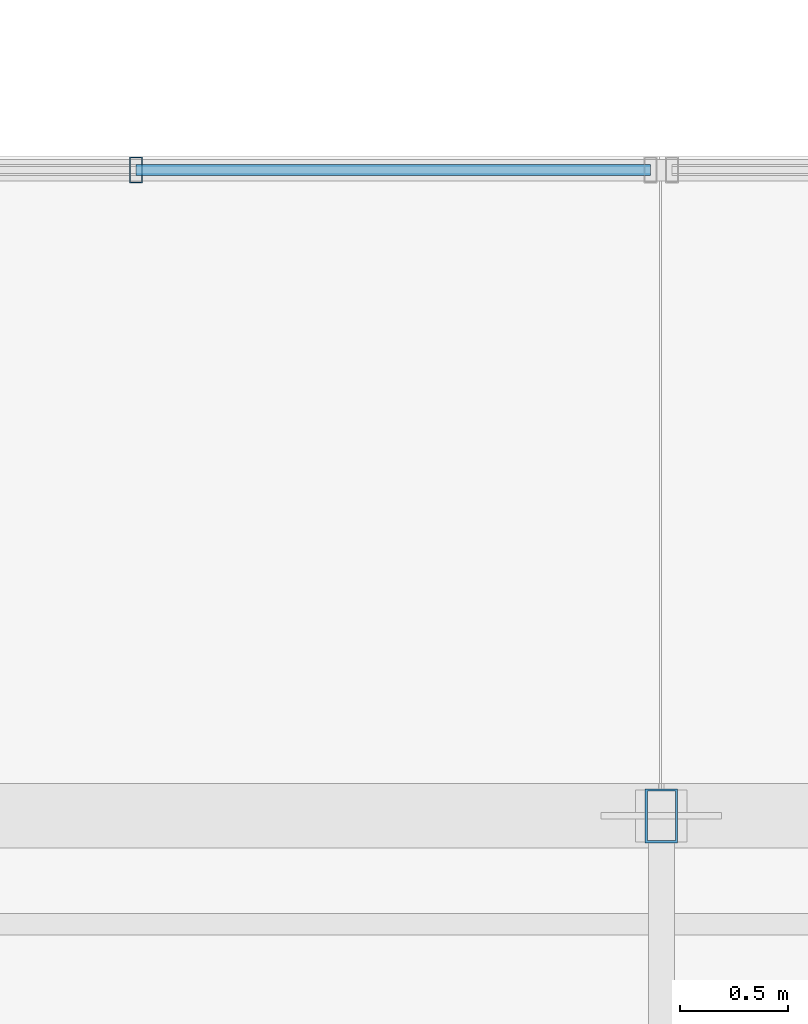
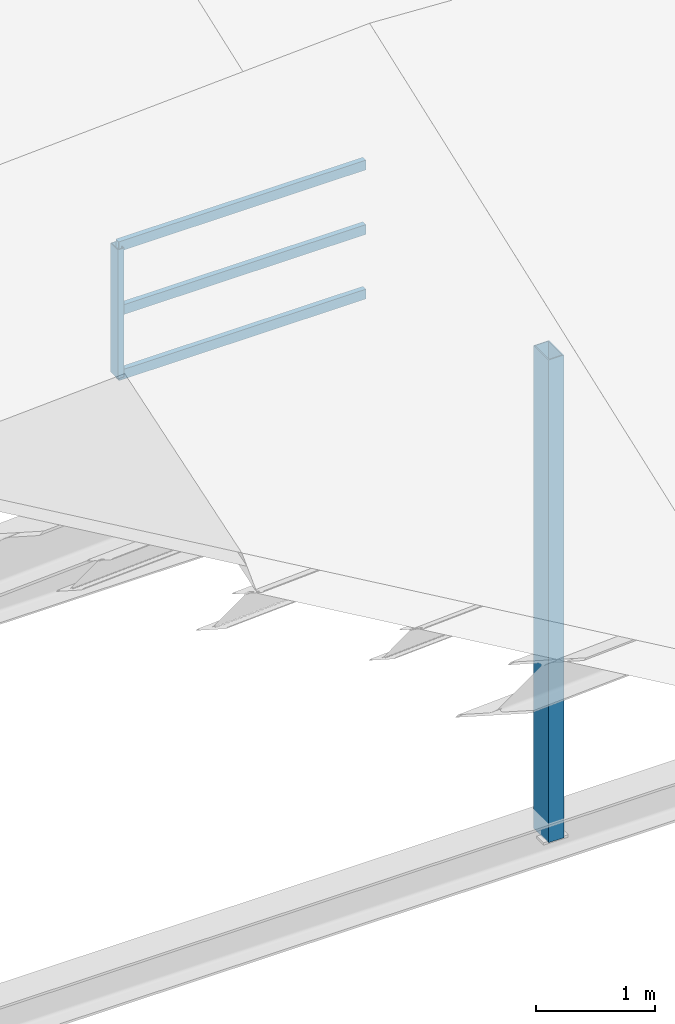
# One storey, part 45 of 141: 5 members, 1 element without a shape of its own.
"""IFC4 building model written with IfcOpenShell, lengths in metres."""

from ifc_helpers import new_model, si_unit, direction, frame, origin, origin_2d, place, context, subcontext, project, spatial, hollow_rectangle, extrude, material, material_profile, profile_set, type_object, element, aggregate, save


model = new_model("IFC4")

# Units and contexts
model_context = context("Model", 3, precision=1e-05, world=origin(), true_north=direction((0.0, 1.0)))
body_context = subcontext(model_context, "Body", "Model", "MODEL_VIEW")
ifc_project = project(units=[si_unit("LENGTHUNIT", "METRE"), si_unit("AREAUNIT", "SQUARE_METRE"), si_unit("VOLUMEUNIT", "CUBIC_METRE"), si_unit("PLANEANGLEUNIT", "RADIAN"), si_unit("MASSUNIT", "GRAM", prefix="KILO")], contexts=[model_context])

# Site, building, storey
site_placement = place(None, origin())
site = spatial("IfcSite", under=ifc_project, at=site_placement, CompositionType="ELEMENT")
building_placement = place(site_placement, origin())
building = spatial("IfcBuilding", under=site, at=building_placement, Name="Sundkrona Museum", CompositionType="ELEMENT")
storey_placement = place(building_placement, frame((0.0, 0.0, 34.0)))
storey = spatial("IfcBuildingStorey", under=building, at=storey_placement, Name="RF", CompositionType="ELEMENT", Elevation=34.0)

# Curtain wall, member
ifc_material_1 = material(Name="Unitised Aluminium-Steel and Ceramic-Clad Curtain Walling", Category="steel")
curtain_wall_type = type_object("IfcCurtainWallType", Name="CW-SW-240x13", PredefinedType="NOTDEFINED", material=ifc_material_1)
curtain_wall_placement = place(storey_placement, origin())
curtain_wall = element("IfcCurtainWall", 1, at=curtain_wall_placement, inside=storey, type_object=curtain_wall_type, Name="Sawtooth Bay 4 West North-Light Clerestory", PredefinedType="NOTDEFINED")
ifc_material_2 = material(Name="Aluminium EN AW-6060 T66", Category="aluminium")
ifc_material_profile_1 = material_profile(ifc_material_2, hollow_rectangle(XDim=0.06005859375, YDim=0.1201171875, WallThickness=0.0048828125, at=origin_2d()), Name="RHS 120x60x5.0")
ifc_profile_set_1 = profile_set([ifc_material_profile_1], Name="Aluminium EN AW-6060 T66")
member_type_1 = type_object("IfcMemberType", Name="ML-120", PredefinedType="MULLION", material=ifc_profile_set_1)
member_1_placement = place(storey_placement, frame((141.56005859375, 26.5, 3.472900390625), z_axis=(0.0, 0.0, 1.0), x_axis=(1.0, 0.0, 0.0)))
member_1 = element("IfcMember", 2, at=member_1_placement, type_object=member_type_1, Name="CW-RF-SAW-04W Mullion 10", PredefinedType="MULLION", context=body_context, shape_type="SweptSolid", body=[
    extrude(hollow_rectangle(XDim=0.06005859375, YDim=0.1201171875, WallThickness=0.0048828125, at=origin_2d()), origin(), (0.0, 0.0, 1.0), 1.320068359375),
])

# Member
ifc_material_3 = material(Name="Steel S355J2", Category="steel")
ifc_material_profile_2 = material_profile(ifc_material_3, hollow_rectangle(XDim=0.14990234375, YDim=0.25, WallThickness=0.010009765625, at=origin_2d()), Name="RHS 250x150x10.0")
ifc_profile_set_2 = profile_set([ifc_material_profile_2], Name="Steel S355J2")
member_type_2 = type_object("IfcMemberType", Name="ST-RHS250", PredefinedType="STRUT", material=ifc_profile_set_2)
member_2_placement = place(storey_placement, frame((144.0, 23.5, -0.25), z_axis=(0.0, 0.0, 1.0), x_axis=(1.0, 0.0, 0.0)))
element("IfcMember", 3, at=member_2_placement, inside=storey, type_object=member_type_2, Name="RFS-1 Sawtooth Truss 4 Vertical Post 4", PredefinedType="STRUT", context=body_context, shape_type="SweptSolid", body=[
    extrude(hollow_rectangle(XDim=0.14990234375, YDim=0.25, WallThickness=0.010009765625, at=origin_2d()), origin(), (0.0, 0.0, 1.0), 4.935791015625),
])

ifc_material_profile_3 = material_profile(ifc_material_2, hollow_rectangle(XDim=0.050048828125, YDim=0.10009765625, WallThickness=0.0048828125, at=origin_2d()), Name="RHS 100x50x5.0")
ifc_profile_set_3 = profile_set([ifc_material_profile_3], Name="Aluminium EN AW-6060 T66")
member_type_3 = type_object("IfcMemberType", Name="TR-100", PredefinedType="USERDEFINED", material=ifc_profile_set_3)
member_3_placement = place(storey_placement, frame((141.56005859375, 26.5, 3.472900390625), z_axis=(1.0, 0.0, 0.0), x_axis=(0.0, 1.0, 0.0)))
member_3 = element("IfcMember", 4, at=member_3_placement, type_object=member_type_3, Name="CW-RF-SAW-04W Transom 28", ObjectType="TRANSOM", PredefinedType="USERDEFINED", context=body_context, shape_type="SweptSolid", body=[
    extrude(hollow_rectangle(XDim=0.050048828125, YDim=0.10009765625, WallThickness=0.0048828125, at=origin_2d()), origin(), (0.0, 0.0, 1.0), 2.389892578125),
])

member_4_placement = place(storey_placement, frame((141.56005859375, 26.5, 4.133056640625), z_axis=(1.0, 0.0, 0.0), x_axis=(0.0, 1.0, 0.0)))
member_4 = element("IfcMember", 5, at=member_4_placement, type_object=member_type_3, Name="CW-RF-SAW-04W Transom 29", ObjectType="TRANSOM", PredefinedType="USERDEFINED", context=body_context, shape_type="SweptSolid", body=[
    extrude(hollow_rectangle(XDim=0.050048828125, YDim=0.10009765625, WallThickness=0.0048828125, at=origin_2d()), origin(), (0.0, 0.0, 1.0), 2.389892578125),
])

member_5_placement = place(storey_placement, frame((141.56005859375, 26.5, 4.79296875), z_axis=(1.0, 0.0, 0.0), x_axis=(0.0, 1.0, 0.0)))
member_5 = element("IfcMember", 6, at=member_5_placement, type_object=member_type_3, Name="CW-RF-SAW-04W Transom 30", ObjectType="TRANSOM", PredefinedType="USERDEFINED", context=body_context, shape_type="SweptSolid", body=[
    extrude(hollow_rectangle(XDim=0.050048828125, YDim=0.10009765625, WallThickness=0.0048828125, at=origin_2d()), origin(), (0.0, 0.0, 1.0), 2.389892578125),
])

aggregate(curtain_wall, [member_1, member_3, member_4, member_5])

save(model, "model.ifc")
